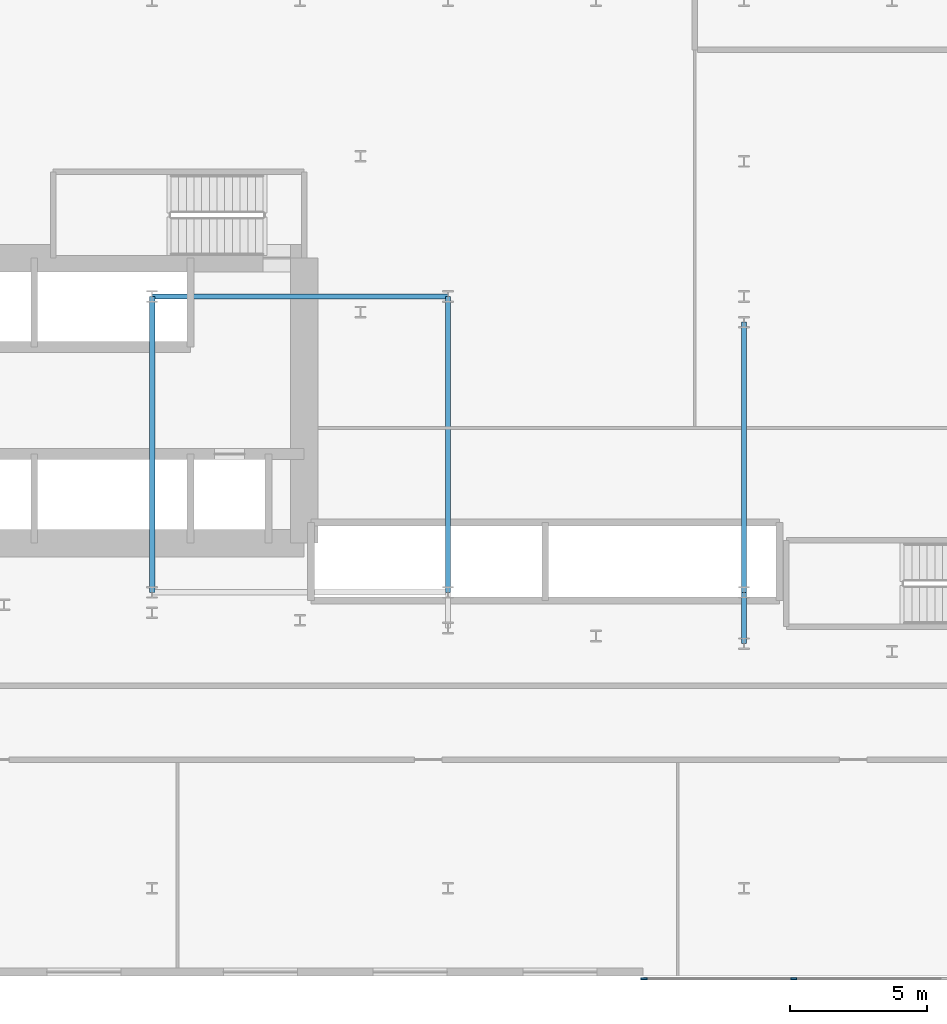
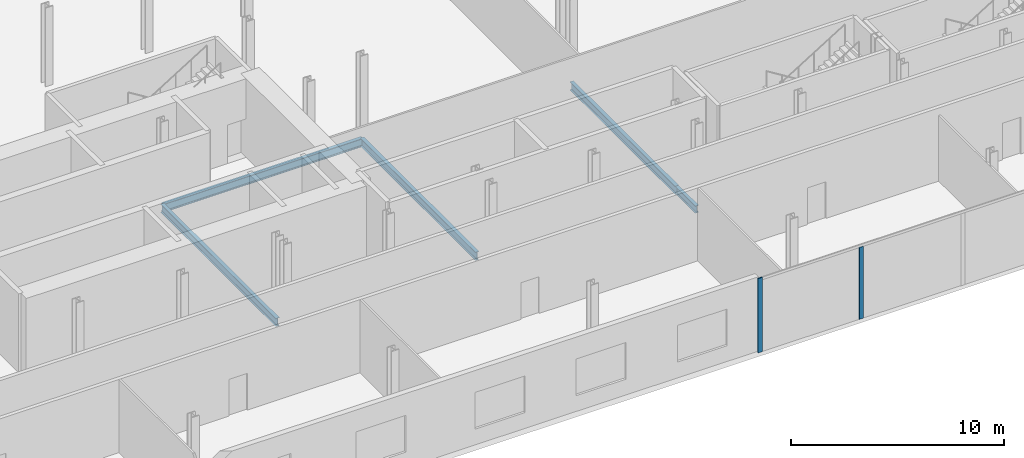
# One storey, part 8 of 47: 5 beams, 2 members, 1 element without a shape of its own.
"""IFC4 building model written with IfcOpenShell, lengths in metres."""

from ifc_helpers import new_model, si_unit, direction, frame, origin, origin_2d, place, context, subcontext, project, spatial, rectangle, i_section, extrude, material, layer, layer_set, material_profile, profile_set, type_object, element, aggregate, save


model = new_model("IFC4")

# Units and contexts
model_context = context("Model", 3, precision=1e-05, world=origin(), true_north=direction((0.0, 1.0)))
body_context = subcontext(model_context, "Body", "Model", "MODEL_VIEW")
ifc_project = project(units=[si_unit("LENGTHUNIT", "METRE"), si_unit("AREAUNIT", "SQUARE_METRE"), si_unit("VOLUMEUNIT", "CUBIC_METRE"), si_unit("PLANEANGLEUNIT", "RADIAN"), si_unit("MASSUNIT", "GRAM", prefix="KILO")], contexts=[model_context])

# Site, building, storey
site_placement = place(None, origin())
site = spatial("IfcSite", under=ifc_project, at=site_placement, CompositionType="ELEMENT")
building_placement = place(site_placement, origin())
building = spatial("IfcBuilding", under=site, at=building_placement, Name="Kheshtan School and Residences Tower", CompositionType="ELEMENT")
storey_placement = place(building_placement, frame((0.0, 0.0, 17.0)))
storey = spatial("IfcBuildingStorey", under=building, at=storey_placement, Name="L03", CompositionType="ELEMENT", Elevation=17.0)

# Beams
ifc_material_1 = material(Name="Steel ASTM A992 Grade 50", Category="steel")
ifc_material_profile_1 = material_profile(ifc_material_1, i_section(OverallWidth=0.180908203125, OverallDepth=0.4169921875, WebThickness=0.010986328125, FlangeThickness=0.018310546875, FilletRadius=0.012451171875, at=origin_2d()), Name="W410x85")
ifc_profile_set_1 = profile_set([ifc_material_profile_1], Name="Steel ASTM A992 Grade 50")
beam_type_1 = type_object("IfcBeamType", Name="Beam PB1 W410x85 ASTM A992 Grade 50", PredefinedType="BEAM", material=ifc_profile_set_1)
beam_1_placement = place(storey_placement, frame((69.199951171875, 22.1298828125, -0.528564453125), z_axis=(0.0, 1.0, 0.0), x_axis=(-1.0, 0.0, 0.0)))
element("IfcBeam", 1, at=beam_1_placement, inside=storey, type_object=beam_type_1, Name="Podium floor beam PB1", PredefinedType="BEAM", context=body_context, shape_type="SweptSolid", body=[
    extrude(i_section(OverallWidth=0.180908203125, OverallDepth=0.4169921875, WebThickness=0.010986328125, FlangeThickness=0.018310546875, FilletRadius=0.012451171875, at=origin_2d()), origin(), (0.0, 0.0, 1.0), 1.8701171875),
])
ifc_material_profile_2 = material_profile(ifc_material_1, i_section(OverallWidth=0.194091796875, OverallDepth=0.468994140625, WebThickness=0.0126953125, FlangeThickness=0.0205078125, FilletRadius=0.01416015625, at=origin_2d()), Name="W460x106")
ifc_profile_set_2 = profile_set([ifc_material_profile_2], Name="Steel ASTM A992 Grade 50")
beam_type_2 = type_object("IfcBeamType", Name="Beam PB2 W460x106 ASTM A992 Grade 50", PredefinedType="BEAM", material=ifc_profile_set_2)
for number, where, z_axis, x_axis, name in (
    (2, (47.60009765625, 24.0, -0.554443359375), (0.0, 1.0, 0.0), (-1.0, 0.0, 0.0), "Podium floor beam PB2"),
    (3, (58.39990234375, 24.0, -0.554443359375), (0.0, 1.0, 0.0), (-1.0, 0.0, 0.0), "Podium floor beam PB2"),
):
    element("IfcBeam", number, at=place(storey_placement, frame(where, z_axis=z_axis, x_axis=x_axis)), inside=storey, type_object=beam_type_2, Name=name, PredefinedType="BEAM", context=body_context, shape_type="SweptSolid", body=[
        extrude(i_section(OverallWidth=0.194091796875, OverallDepth=0.468994140625, WebThickness=0.0126953125, FlangeThickness=0.0205078125, FilletRadius=0.01416015625, at=origin_2d()), origin(), (0.0, 0.0, 1.0), 10.800048828125),
    ])
beam_2_placement = place(storey_placement, frame((69.199951171875, 24.0, -0.554443359375), z_axis=(0.0, 1.0, 0.0), x_axis=(-1.0, 0.0, 0.0)))
element("IfcBeam", 4, at=beam_2_placement, inside=storey, type_object=beam_type_2, Name="Podium floor beam PB2", PredefinedType="BEAM", context=body_context, shape_type="SweptSolid", body=[
    extrude(i_section(OverallWidth=0.194091796875, OverallDepth=0.468994140625, WebThickness=0.0126953125, FlangeThickness=0.0205078125, FilletRadius=0.01416015625, at=origin_2d()), origin(), (0.0, 0.0, 1.0), 9.860107421875),
])
beam_3_placement = place(storey_placement, frame((47.60009765625, 34.800048828125, -0.554443359375), z_axis=(1.0, 0.0, 0.0), x_axis=(0.0, 1.0, 0.0)))
element("IfcBeam", 5, at=beam_3_placement, inside=storey, type_object=beam_type_2, Name="Podium floor beam PB2", PredefinedType="BEAM", context=body_context, shape_type="SweptSolid", body=[
    extrude(i_section(OverallWidth=0.194091796875, OverallDepth=0.468994140625, WebThickness=0.0126953125, FlangeThickness=0.0205078125, FilletRadius=0.01416015625, at=origin_2d()), origin(), (0.0, 0.0, 1.0), 10.7998046875),
])

# Curtain wall, members
ifc_material_2 = material(Name="Clear low-e glass in thermally broken aluminium frame", Category="aluminium")
ifc_layer = layer(ifc_material_2, 0.22509765625)
ifc_layer_set = layer_set([ifc_layer], Name="Curtain wall CW-P")
curtain_wall_type = type_object("IfcCurtainWallType", Name="Curtain wall CW-P", PredefinedType="NOTDEFINED", material=ifc_layer_set)
curtain_wall_placement = place(storey_placement, origin())
curtain_wall = element("IfcCurtainWall", 6, at=curtain_wall_placement, inside=storey, type_object=curtain_wall_type, Name="Curtain wall CWP12a", PredefinedType="NOTDEFINED")
ifc_material_3 = material(Name="Thermally broken aluminium, dark bronze anodised", Category="aluminium")
ifc_material_profile_3 = material_profile(ifc_material_3, rectangle(XDim=0.06005859375, YDim=0.22509765625, at=origin_2d()), Name="CW-P mullion 60x225")
ifc_profile_set_3 = profile_set([ifc_material_profile_3], Name="Thermally broken aluminium, dark bronze anodised")
member_type = type_object("IfcMemberType", Name="CW-P mullion 60x225", PredefinedType="MULLION", material=ifc_profile_set_3)
member_1_placement = place(storey_placement, frame((71.01806640625, 9.89990234375, 0.0), z_axis=(0.0, 0.0, 1.0), x_axis=(0.0, -1.0, 0.0)))
member_1 = element("IfcMember", 7, at=member_1_placement, type_object=member_type, Name="CWP12a mullion 11", PredefinedType="MULLION", context=body_context, shape_type="SweptSolid", body=[
    extrude(rectangle(XDim=0.06005859375, YDim=0.22509765625, at=origin_2d()), origin(), (0.0, 0.0, 1.0), 4.110107421875),
])
member_2_placement = place(storey_placement, frame((65.550048828125, 9.89990234375, 0.0), z_axis=(0.0, 0.0, 1.0), x_axis=(0.0, -1.0, 0.0)))
member_2 = element("IfcMember", 8, at=member_2_placement, type_object=member_type, Name="CWP12a mullion 12", PredefinedType="MULLION", context=body_context, shape_type="SweptSolid", body=[
    extrude(rectangle(XDim=0.06005859375, YDim=0.22509765625, at=origin_2d()), origin(), (0.0, 0.0, 1.0), 4.25),
])
aggregate(curtain_wall, [member_1, member_2])

save(model, "model.ifc")
